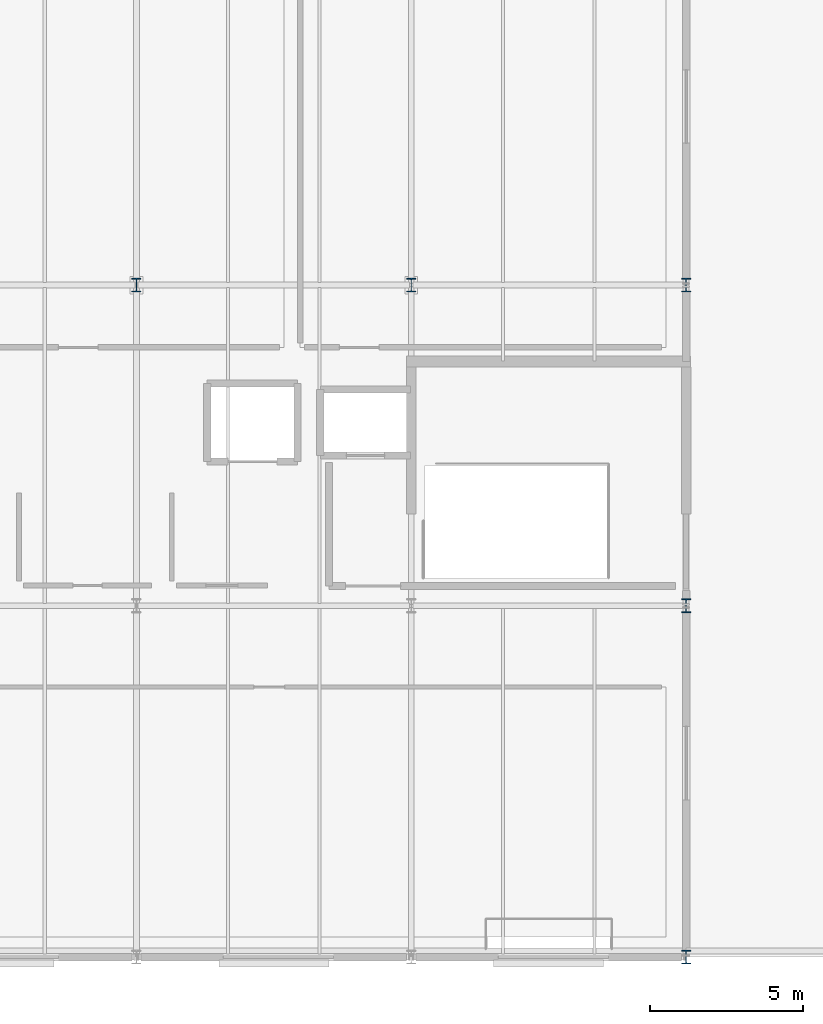
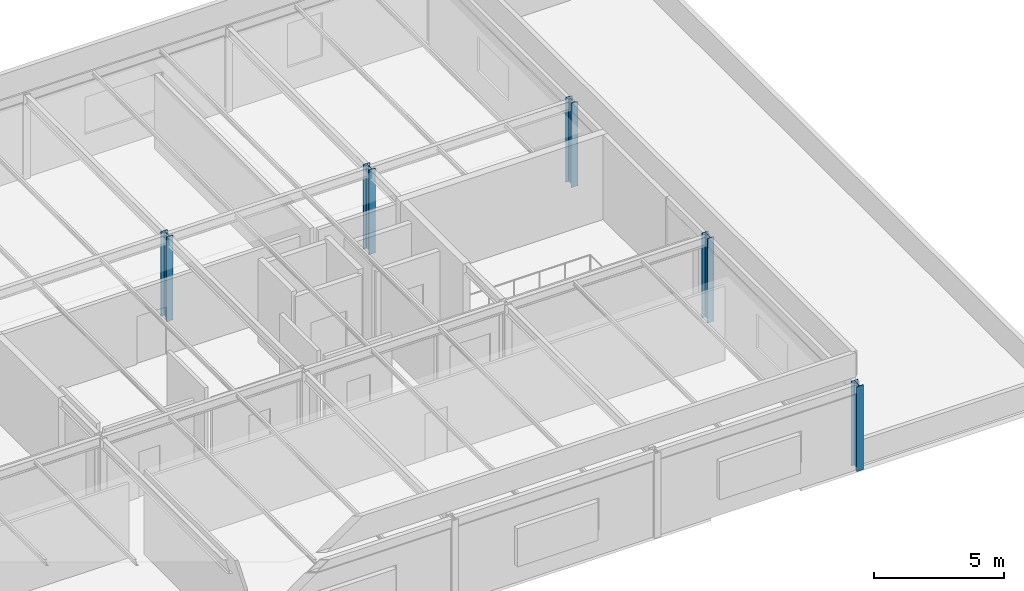
# One storey, part 2 of 14: 5 columns.
"""IFC4 building model written with IfcOpenShell, lengths in metres."""

from ifc_helpers import new_model, si_unit, direction, frame, origin, origin_2d, place, context, subcontext, project, spatial, i_section, extrude, material, material_profile, profile_set, type_object, element, save


model = new_model("IFC4")

# Units and contexts
model_context = context("Model", 3, precision=1e-05, world=origin(), true_north=direction((0.0, 1.0)))
body_context = subcontext(model_context, "Body", "Model", "MODEL_VIEW")
ifc_project = project(units=[si_unit("LENGTHUNIT", "METRE"), si_unit("AREAUNIT", "SQUARE_METRE"), si_unit("VOLUMEUNIT", "CUBIC_METRE"), si_unit("PLANEANGLEUNIT", "RADIAN"), si_unit("MASSUNIT", "GRAM", prefix="KILO")], contexts=[model_context])

# Site, building, storey
site_placement = place(None, origin())
site = spatial("IfcSite", under=ifc_project, at=site_placement, CompositionType="ELEMENT")
building_placement = place(site_placement, origin())
building = spatial("IfcBuilding", under=site, at=building_placement, Name="Marlcrest Central Station", CompositionType="ELEMENT")
storey_placement = place(building_placement, frame((0.0, 0.0, 24.0)))
storey = spatial("IfcBuildingStorey", under=building, at=storey_placement, Name="L05", CompositionType="ELEMENT", Elevation=24.0)

# Columns
ifc_material = material(Name="Steel S355", Category="steel")
ifc_material_profile = material_profile(ifc_material, i_section(OverallWidth=0.300048828125, OverallDepth=0.449951171875, WebThickness=0.013916015625, FlangeThickness=0.02587890625, FilletRadius=0.027099609375, at=origin_2d()), Name="HEB 450")
ifc_profile_set = profile_set([ifc_material_profile], Name="Steel S355")
column_type = type_object("IfcColumnType", Name="SC-02", PredefinedType="COLUMN", material=ifc_profile_set)
for number, where, z_axis, x_axis, name in (
    (1, (36.0, 121.0, 0.0), (0.0, 0.0, 1.0), (1.0, 0.0, 0.0), "col-SC-02-L05-0243"),
    (2, (45.0, 121.0, 0.0), (0.0, 0.0, 1.0), (1.0, 0.0, 0.0), "col-SC-02-L05-0247"),
    (3, (54.0, 99.0, 0.0), (0.0, 0.0, 1.0), (1.0, 0.0, 0.0), "col-SC-02-L05-0249"),
    (4, (54.0, 110.5, 0.0), (0.0, 0.0, 1.0), (1.0, 0.0, 0.0), "col-SC-02-L05-0250"),
    (5, (54.0, 121.0, 0.0), (0.0, 0.0, 1.0), (1.0, 0.0, 0.0), "col-SC-02-L05-0251"),
):
    element("IfcColumn", number, at=place(storey_placement, frame(where, z_axis=z_axis, x_axis=x_axis)), inside=storey, type_object=column_type, Name=name, PredefinedType="COLUMN", context=body_context, shape_type="SweptSolid", body=[
        extrude(i_section(OverallWidth=0.300048828125, OverallDepth=0.449951171875, WebThickness=0.013916015625, FlangeThickness=0.02587890625, FilletRadius=0.027099609375, at=origin_2d()), origin(), (0.0, 0.0, 1.0), 3.97998046875),
    ])

save(model, "model.ifc")
